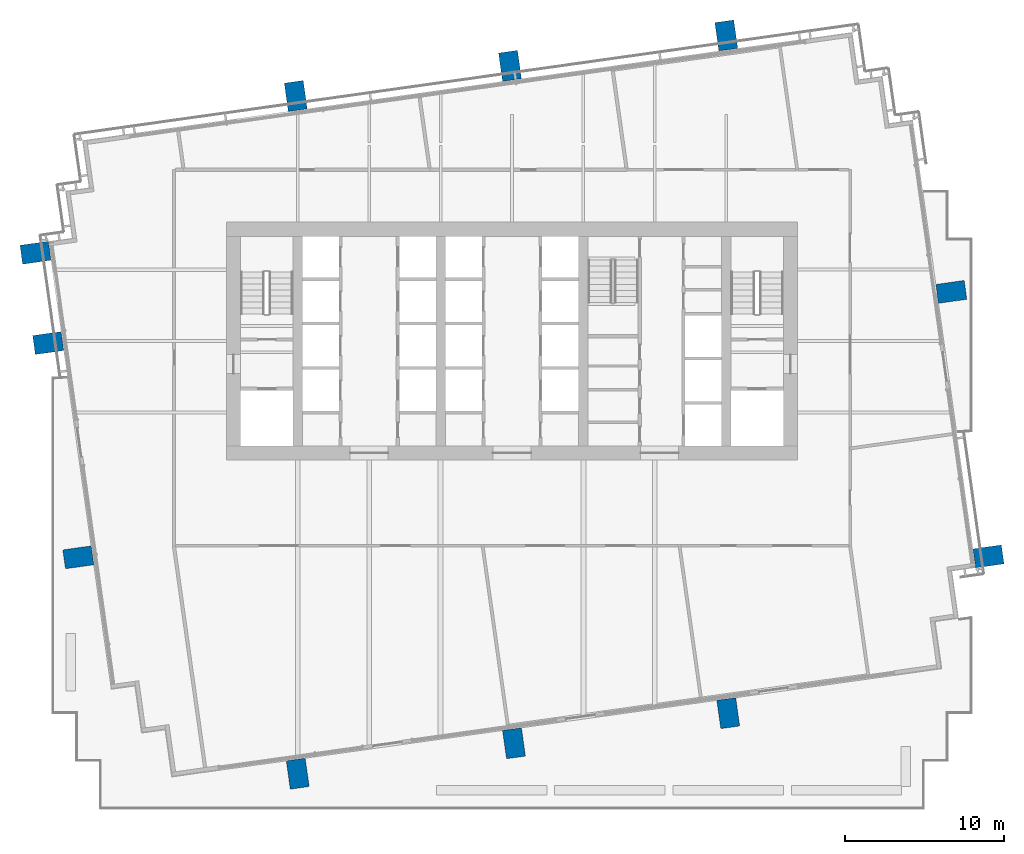
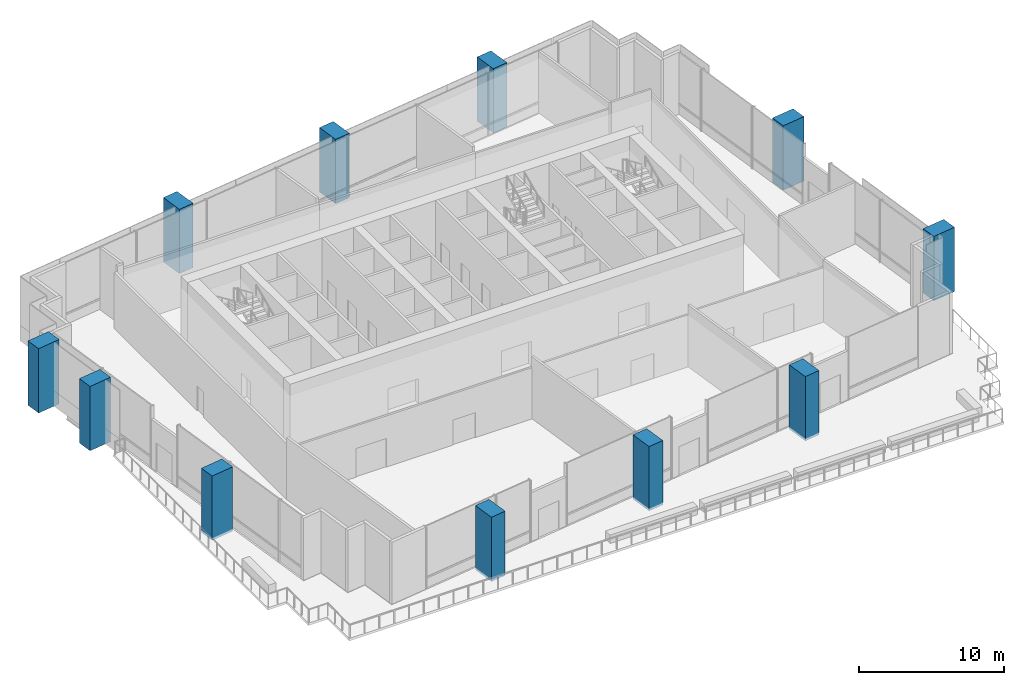
# One storey, part 1 of 17: 11 columns.
"""IFC4 building model written with IfcOpenShell, lengths in metres."""

from ifc_helpers import new_model, si_unit, direction, frame, origin, origin_2d, place, context, subcontext, project, spatial, rectangle, extrude, material, material_profile, profile_set, type_object, element, save


model = new_model("IFC4")

# Units and contexts
model_context = context("Model", 3, precision=1e-05, world=origin(), true_north=direction((0.0, 1.0)))
body_context = subcontext(model_context, "Body", "Model", "MODEL_VIEW")
ifc_project = project(units=[si_unit("LENGTHUNIT", "METRE"), si_unit("AREAUNIT", "SQUARE_METRE"), si_unit("VOLUMEUNIT", "CUBIC_METRE"), si_unit("PLANEANGLEUNIT", "RADIAN"), si_unit("MASSUNIT", "GRAM", prefix="KILO")], contexts=[model_context])

# Site, building, storey
site_placement = place(None, origin())
site = spatial("IfcSite", under=ifc_project, at=site_placement, CompositionType="ELEMENT")
building_placement = place(site_placement, origin())
building = spatial("IfcBuilding", under=site, at=building_placement, Name="Rattan Terrace Tower", CompositionType="ELEMENT")
storey_placement = place(building_placement, frame((0.0, 0.0, 163.10009765625)))
storey = spatial("IfcBuildingStorey", under=building, at=storey_placement, Name="L37", CompositionType="ELEMENT", Elevation=163.10009765625)

# Columns
ifc_material = material(Name="Concrete C50/60", Category="concrete")
ifc_material_profile = material_profile(ifc_material, rectangle(XDim=1.199951171875, YDim=1.800048828125, at=origin_2d()), Name="CFT 1800x1200")
ifc_profile_set = profile_set([ifc_material_profile], Name="Concrete C50/60")
column_type = type_object("IfcColumnType", Name="Frame exoskeleton column CFT 1800x1200", PredefinedType="COLUMN", material=ifc_profile_set)
for number, where, z_axis, x_axis, name in (
    (1, (-13.5, -27.256103515625, -0.2001953125), (0.0, 0.0, 1.0), (0.99027049762, 0.139155817501, 0.0), "exo-L37-001"),
    (2, (0.125, -25.340087890625, -0.2001953125), (0.0, 0.0, 1.0), (0.99027049762, 0.139155817501, 0.0), "exo-L37-002"),
    (3, (13.625, -23.443115234375, -0.2001953125), (0.0, 0.0, 1.0), (0.99027049762, 0.139155817501, 0.0), "exo-L37-003"),
    (4, (-27.325927734375, -13.625, -0.2001953125), (0.0, 0.0, 1.0), (-0.139190384377, 0.990265639562, 0.0), "exo-L37-004"),
    (5, (30.02392578125, -13.56494140625, -0.2001953125), (0.0, 0.0, 1.0), (-0.139190384377, 0.990265639562, 0.0), "exo-L37-005"),
    (6, (-29.22412109375, -0.125, -0.2001953125), (0.0, 0.0, 1.0), (-0.139190384377, 0.990265639562, 0.0), "exo-L37-006"),
    (7, (27.680908203125, 3.10009765625, -0.2001953125), (0.0, 0.0, 1.0), (-0.139190384377, 0.990265639562, 0.0), "exo-L37-007"),
    (8, (-30.02392578125, 5.56494140625, -0.2001953125), (0.0, 0.0, 1.0), (-0.139190384377, 0.990265639562, 0.0), "exo-L37-008"),
    (9, (-13.625, 15.443115234375, -0.2001953125), (0.0, 0.0, 1.0), (0.99027049762, 0.139155817501, 0.0), "exo-L37-009"),
    (10, (-0.125, 17.340087890625, -0.2001953125), (0.0, 0.0, 1.0), (0.99027049762, 0.139155817501, 0.0), "exo-L37-010"),
    (11, (13.5, 19.256103515625, -0.2001953125), (0.0, 0.0, 1.0), (0.99027049762, 0.139155817501, 0.0), "exo-L37-011"),
):
    element("IfcColumn", number, at=place(storey_placement, frame(where, z_axis=z_axis, x_axis=x_axis)), inside=storey, type_object=column_type, Name=name, PredefinedType="COLUMN", context=body_context, shape_type="SweptSolid", body=[
        extrude(rectangle(XDim=1.199951171875, YDim=1.800048828125, at=origin_2d()), origin(), (0.0, 0.0, 1.0), 5.400146484375),
    ])

save(model, "model.ifc")
